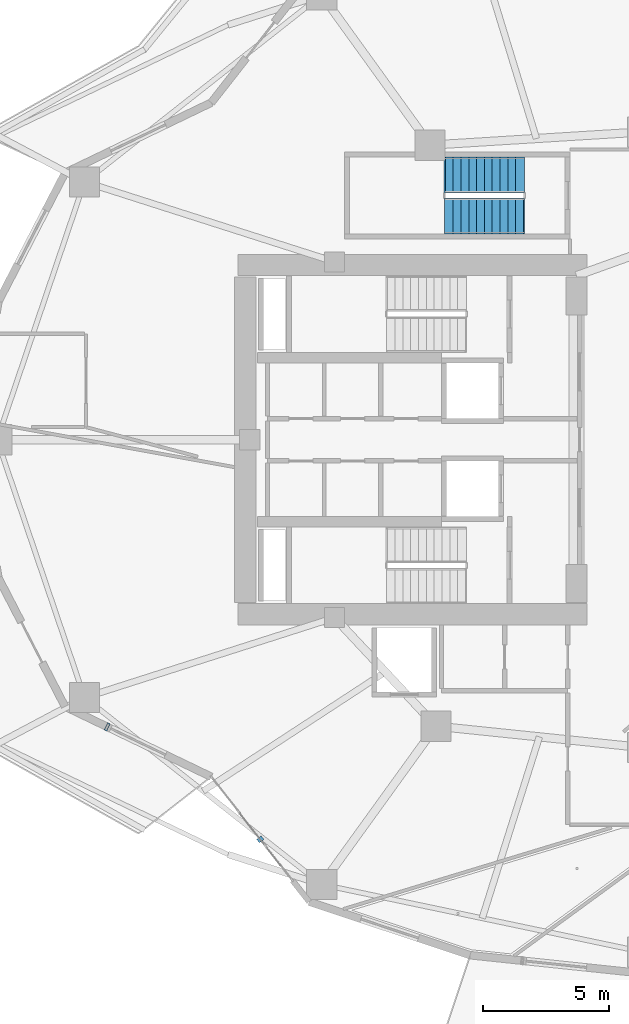
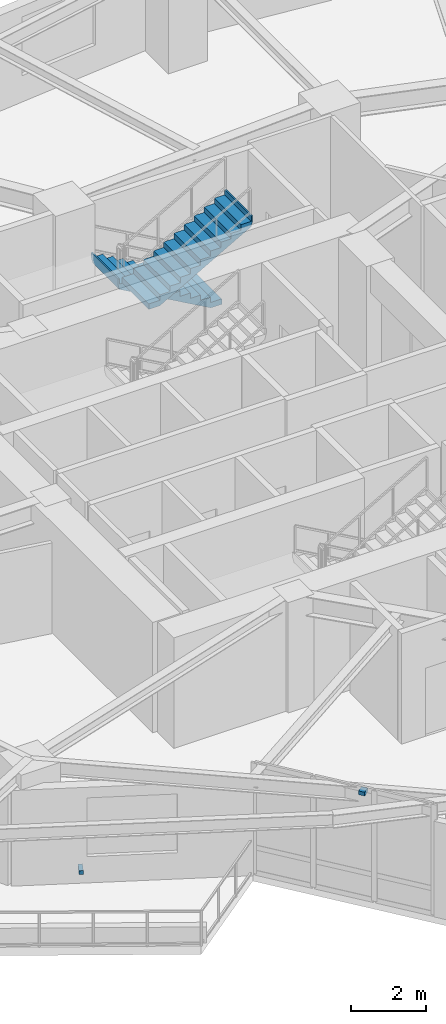
# One storey, part 13 of 19: 2 discrete accessories, 2 stair flights, 1 element without a shape of its own.
"""IFC4 building model written with IfcOpenShell, lengths in metres."""

from ifc_helpers import new_model, si_unit, direction, frame, origin, origin_2d, place, context, subcontext, project, spatial, polyline, rectangle, outline, extrude, material, type_object, element, aggregate, save


model = new_model("IFC4")

# Units and contexts
model_context = context("Model", 3, precision=1e-05, world=origin(), true_north=direction((0.0, 1.0)))
body_context = subcontext(model_context, "Body", "Model", "MODEL_VIEW")
ifc_project = project(units=[si_unit("LENGTHUNIT", "METRE"), si_unit("AREAUNIT", "SQUARE_METRE"), si_unit("VOLUMEUNIT", "CUBIC_METRE"), si_unit("PLANEANGLEUNIT", "RADIAN"), si_unit("MASSUNIT", "GRAM", prefix="KILO")], contexts=[model_context])

# Site, building, storey
site_placement = place(None, origin())
site = spatial("IfcSite", under=ifc_project, at=site_placement, CompositionType="ELEMENT")
building_placement = place(site_placement, origin())
building = spatial("IfcBuilding", under=site, at=building_placement, Name="Kolvaren Gate Tower and Convention Centre", CompositionType="ELEMENT")
storey_placement = place(building_placement, frame((0.0, 0.0, 68.85009765625)))
storey = spatial("IfcBuildingStorey", under=building, at=storey_placement, Name="L16", CompositionType="ELEMENT", Elevation=68.85009765625)

# Stair, stair flights
ifc_material_1 = material(Name="Concrete C50/60", Category="concrete")
stair_type = type_object("IfcStairType", Name="STR-STAIR-CORE", PredefinedType="HALF_TURN_STAIR", material=ifc_material_1)
stair_placement = place(storey_placement, origin())
stair = element("IfcStair", 1, at=stair_placement, inside=storey, type_object=stair_type, Name="L16 Tower Mid-Zone Exit Stair ST-T3", PredefinedType="HALF_TURN_STAIR")
stair_flight_type = type_object("IfcStairFlightType", Name="STR-SFL-1420", PredefinedType="STRAIGHT", material=ifc_material_1)
stair_flight_1_placement = place(storey_placement, frame((25.39990234375, 37.489990234375, 0.0), z_axis=(0.0, 0.0, 1.0), x_axis=(-1.0, 0.0, 0.0)))
stair_flight_1 = element("IfcStairFlight", 2, at=stair_flight_1_placement, type_object=stair_flight_type, Name="ST-T3 flight 1", NumberOfRisers=11, NumberOfTreads=10, PredefinedType="STRAIGHT", RiserHeight=0.175, TreadLength=0.31, context=body_context, shape_type="SweptSolid", body=[
    extrude(outline(polyline([(-0.034912109375, 0.0), (-0.034912109375, 0.175048828125), (0.31005859375, 0.175048828125), (0.31005859375, 0.35009765625), (0.6201171875, 0.35009765625), (0.6201171875, 0.52490234375), (0.929931640625, 0.52490234375), (0.929931640625, 0.699951171875), (1.239990234375, 0.699951171875), (1.239990234375, 0.875), (1.550048828125, 0.875), (1.550048828125, 1.050048828125), (1.860107421875, 1.050048828125), (1.860107421875, 1.22509765625), (2.169921875, 1.22509765625), (2.169921875, 1.39990234375), (2.47998046875, 1.39990234375), (2.47998046875, 1.574951171875), (2.7900390625, 1.574951171875), (2.7900390625, 1.75), (3.10009765625, 1.75), (3.10009765625, 1.925048828125), (3.14501953125, 1.925048828125), (3.14501953125, 1.764892578125), (3.10009765625, 1.577880859375), (0.304931640625, 0.0), (-0.034912109375, 0.0)])), frame((0.0, 0.7099609375, 0.0), z_axis=(0.0, -1.0, 0.0), x_axis=(1.0, 0.0, 0.0)), (0.0, 0.0, 1.0), 1.419921875),
])
stair_flight_2_placement = place(storey_placement, frame((22.300048828125, 35.8701171875, 1.9248046875), z_axis=(0.0, 0.0, 1.0), x_axis=(1.0, 0.0, 0.0)))
stair_flight_2 = element("IfcStairFlight", 3, at=stair_flight_2_placement, type_object=stair_flight_type, Name="ST-T3 flight 2", NumberOfRisers=11, NumberOfTreads=10, PredefinedType="STRAIGHT", RiserHeight=0.175, TreadLength=0.31, context=body_context, shape_type="SweptSolid", body=[
    extrude(outline(polyline([(-0.034912109375, 0.0), (-0.034912109375, 0.175048828125), (0.31005859375, 0.175048828125), (0.31005859375, 0.35009765625), (0.6201171875, 0.35009765625), (0.6201171875, 0.52490234375), (0.929931640625, 0.52490234375), (0.929931640625, 0.699951171875), (1.239990234375, 0.699951171875), (1.239990234375, 0.875), (1.550048828125, 0.875), (1.550048828125, 1.050048828125), (1.860107421875, 1.050048828125), (1.860107421875, 1.22509765625), (2.169921875, 1.22509765625), (2.169921875, 1.39990234375), (2.47998046875, 1.39990234375), (2.47998046875, 1.574951171875), (2.7900390625, 1.574951171875), (2.7900390625, 1.75), (3.10009765625, 1.75), (3.10009765625, 1.925048828125), (3.14501953125, 1.925048828125), (3.14501953125, 1.764892578125), (3.10009765625, 1.577880859375), (0.304931640625, 0.0), (-0.034912109375, 0.0)])), frame((0.0, 0.7099609375, 0.0), z_axis=(0.0, -1.0, 0.0), x_axis=(1.0, 0.0, 0.0)), (0.0, 0.0, 1.0), 1.419921875),
])
aggregate(stair, [stair_flight_1, stair_flight_2])

# Discrete accessories
ifc_material_2 = material(Name="Anodized Architectural Aluminium Alloy 6063-T6", Category="aluminium")
discrete_accessory_type = type_object("IfcDiscreteAccessoryType", Name="ARCH-ACC-BRACKET-120", PredefinedType="BRACKET", material=ifc_material_2)
discrete_accessory_1_placement = place(storey_placement, frame((8.901611328125, 15.62158203125, 0.289794921875), z_axis=(0.0, 0.0, 1.0), x_axis=(0.901357634097, -0.433075530889, 0.0)))
element("IfcDiscreteAccessory", 4, at=discrete_accessory_1_placement, inside=storey, type_object=discrete_accessory_type, Name="Ceramic Fin Wall Anchor Bracket FBK-L16-14", PredefinedType="BRACKET", context=body_context, shape_type="SweptSolid", body=[
    extrude(rectangle(XDim=0.1201171875, YDim=0.320068359375, at=origin_2d()), origin(), (0.0, 0.0, 1.0), 0.1201171875),
])
discrete_accessory_2_placement = place(storey_placement, frame((14.966064453125, 11.161865234375, 3.389892578125), z_axis=(0.0, 0.0, 1.0), x_axis=(0.616431370541, -0.787408639407, 0.0)))
element("IfcDiscreteAccessory", 5, at=discrete_accessory_2_placement, inside=storey, type_object=discrete_accessory_type, Name="Solar Screen Spandrel Anchor Bracket BK-L16-15", PredefinedType="BRACKET", context=body_context, shape_type="SweptSolid", body=[
    extrude(rectangle(XDim=0.179931640625, YDim=0.219970703125, at=origin_2d()), origin(), (0.0, 0.0, 1.0), 0.1201171875),
])

save(model, "model.ifc")
